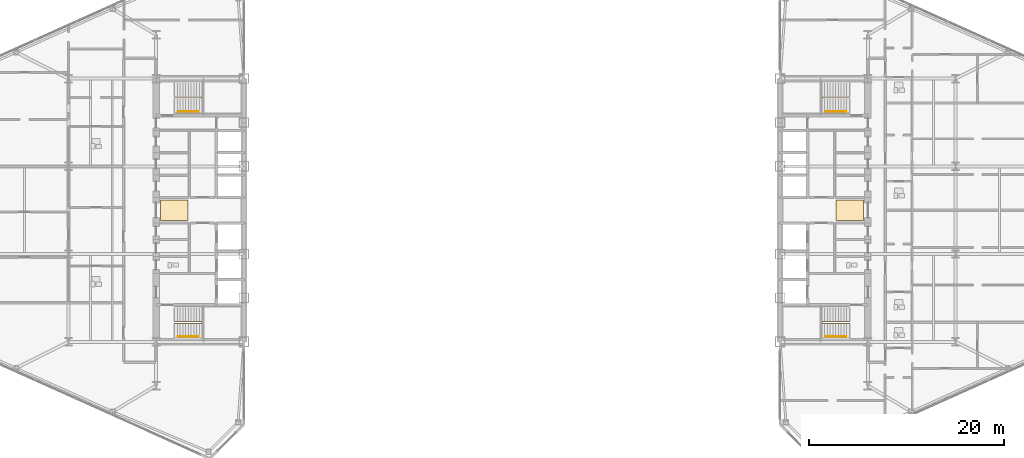
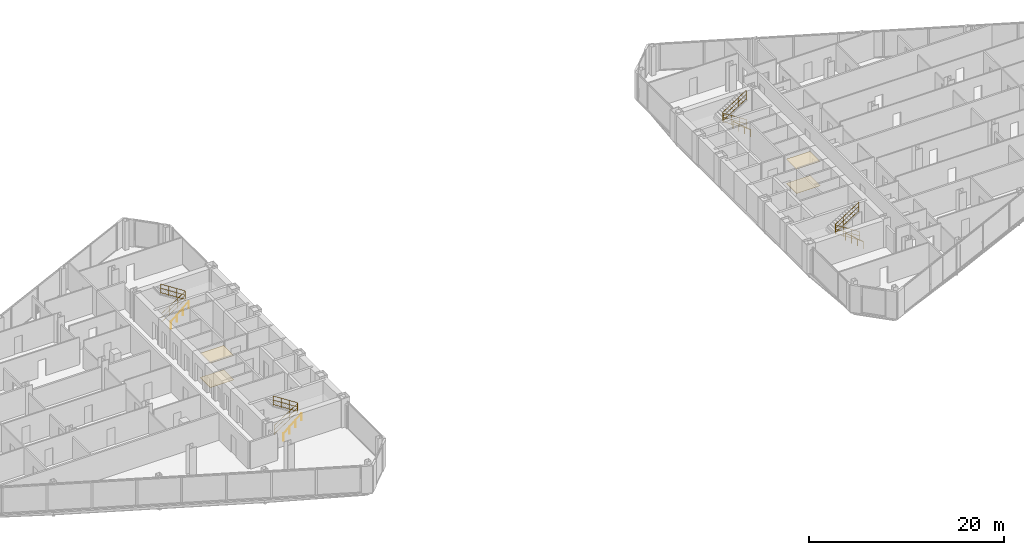
# One storey, part 26 of 27: 8 railings, 4 coverings.
"""IFC4 building model written with IfcOpenShell, lengths in metres."""

from ifc_helpers import new_model, si_unit, direction, frame, origin, origin_2d, place, context, subcontext, project, spatial, polyline, circle, outline, extrude, material, layer, layer_set, type_object, element, save


model = new_model("IFC4")

# Units and contexts
model_context = context("Model", 3, precision=1e-05, world=origin(), true_north=direction((0.0, 1.0)))
body_context = subcontext(model_context, "Body", "Model", "MODEL_VIEW")
ifc_project = project(units=[si_unit("LENGTHUNIT", "METRE"), si_unit("AREAUNIT", "SQUARE_METRE"), si_unit("VOLUMEUNIT", "CUBIC_METRE"), si_unit("PLANEANGLEUNIT", "RADIAN"), si_unit("MASSUNIT", "GRAM", prefix="KILO")], contexts=[model_context])

# Site, building, storey
site_placement = place(None, origin())
site = spatial("IfcSite", under=ifc_project, at=site_placement, CompositionType="ELEMENT")
building_placement = place(site_placement, origin())
building = spatial("IfcBuilding", under=site, at=building_placement, Name="Seokmaru Belvedere", CompositionType="ELEMENT")
storey_placement = place(building_placement, frame((0.0, 0.0, 80.10009765625)))
storey = spatial("IfcBuildingStorey", under=building, at=storey_placement, Name="L21", CompositionType="ELEMENT", Elevation=80.10009765625)

# Coverings
ifc_material_1 = material(Name="Engineered White Oak Timber", Category="wood")
ifc_layer_1 = layer(ifc_material_1, 0.02197265625)
ifc_layer_set_1 = layer_set([ifc_layer_1], Name="Engineered White Oak Timber")
covering_type_1 = type_object("IfcCoveringType", Name="Engineered Oak Residence Floor Finish 22", PredefinedType="FLOORING", material=ifc_layer_set_1)
covering_1_placement = place(storey_placement, origin())
element("IfcCovering", 1, at=covering_1_placement, inside=storey, type_object=covering_type_1, Name="L21 W Foyer Floor Finish", PredefinedType="FLOORING", context=body_context, shape_type="SweptSolid", body=[
    extrude(outline(polyline([(-36.050048828125, -1.050048828125), (-33.25, -1.050048828125), (-33.25, 1.050048828125), (-36.050048828125, 1.050048828125), (-36.050048828125, -1.050048828125)])), origin(), (0.0, 0.0, 1.0), 0.02197265625),
])
covering_2_placement = place(storey_placement, origin())
element("IfcCovering", 2, at=covering_2_placement, inside=storey, type_object=covering_type_1, Name="L21 E Foyer Floor Finish", PredefinedType="FLOORING", context=body_context, shape_type="SweptSolid", body=[
    extrude(outline(polyline([(33.25, -1.050048828125), (36.050048828125, -1.050048828125), (36.050048828125, 1.050048828125), (33.25, 1.050048828125), (33.25, -1.050048828125)])), origin(), (0.0, 0.0, 1.0), 0.02197265625),
])
ifc_material_2 = material(Name="Fire-Rated Gypsum Shaftwall")
ifc_layer_2 = layer(ifc_material_2, 0.02490234375)
ifc_layer_set_2 = layer_set([ifc_layer_2], Name="Fire-Rated Gypsum Shaftwall")
covering_type_2 = type_object("IfcCoveringType", Name="Perforated Acoustic Gypsum Suspended Ceiling 25", PredefinedType="CEILING", material=ifc_layer_set_2)
covering_3_placement = place(storey_placement, frame((0.0, 0.0, 3.02978515625)))
element("IfcCovering", 3, at=covering_3_placement, inside=storey, type_object=covering_type_2, Name="L21 W Lift Foyer Acoustic Ceiling", PredefinedType="CEILING", context=body_context, shape_type="SweptSolid", body=[
    extrude(outline(polyline([(-36.050048828125, -1.050048828125), (-33.25, -1.050048828125), (-33.25, 1.050048828125), (-36.050048828125, 1.050048828125), (-36.050048828125, -1.050048828125)])), origin(), (0.0, 0.0, 1.0), 0.025146484375),
])
covering_4_placement = place(storey_placement, frame((0.0, 0.0, 3.02978515625)))
element("IfcCovering", 4, at=covering_4_placement, inside=storey, type_object=covering_type_2, Name="L21 E Lift Foyer Acoustic Ceiling", PredefinedType="CEILING", context=body_context, shape_type="SweptSolid", body=[
    extrude(outline(polyline([(33.25, -1.050048828125), (36.050048828125, -1.050048828125), (36.050048828125, 1.050048828125), (33.25, 1.050048828125), (33.25, -1.050048828125)])), origin(), (0.0, 0.0, 1.0), 0.025146484375),
])

# Railings
ifc_material_3 = material(Name="Stainless Steel 316", Category="steel")
railing_type_1 = type_object("IfcRailingType", Name="Stainless Steel Wall and Flight Handrail 900", PredefinedType="HANDRAIL", material=ifc_material_3)
for number, where, name in (
    (5, (-34.25, -12.949951171875, 0.0), "L21 Stair ST-W1 Wall Handrail"),
    (6, (-34.25, 10.110107421875, 0.0), "L21 Stair ST-W2 Wall Handrail"),
):
    element("IfcRailing", number, at=place(storey_placement, frame(where)), inside=storey, type_object=railing_type_1, Name=name, PredefinedType="HANDRAIL", context=body_context, shape_type="SweptSolid", body=[
        extrude(circle(Radius=0.02392578125, at=origin_2d()), frame((0.0, 0.0, 0.8759765625), z_axis=(0.759306447245, 0.0, 0.650733216588), x_axis=(0.0, 1.0, 0.0)), (0.0, 0.0, 1.0), 2.765869140625),
        extrude(circle(Radius=0.02099609375, at=origin_2d()), origin(), (0.0, 0.0, 1.0), 0.851806640625),
        extrude(circle(Radius=0.02099609375, at=origin_2d()), frame((0.699951171875, 0.0, 0.599853515625)), (0.0, 0.0, 1.0), 0.851806640625),
        extrude(circle(Radius=0.02099609375, at=origin_2d()), frame((1.400146484375, 0.0, 1.199951171875)), (0.0, 0.0, 1.0), 0.851806640625),
        extrude(circle(Radius=0.02099609375, at=origin_2d()), frame((2.10009765625, 0.0, 1.7998046875)), (0.0, 0.0, 1.0), 0.851806640625),
    ])
for number, where, name in (
    (7, (34.25, -12.949951171875, 0.0), "L21 Stair ST-E1 Wall Handrail"),
    (8, (34.25, 10.110107421875, 0.0), "L21 Stair ST-E2 Wall Handrail"),
):
    element("IfcRailing", number, at=place(storey_placement, frame(where)), inside=storey, type_object=railing_type_1, Name=name, PredefinedType="HANDRAIL", context=body_context, shape_type="SweptSolid", body=[
        extrude(circle(Radius=0.02392578125, at=origin_2d()), frame((0.0, 0.0, 0.8759765625), z_axis=(-0.759306447245, 0.0, 0.650733216588), x_axis=(0.0, -1.0, 0.0)), (0.0, 0.0, 1.0), 2.765869140625),
        extrude(circle(Radius=0.02099609375, at=origin_2d()), origin(), (0.0, 0.0, 1.0), 0.851806640625),
        extrude(circle(Radius=0.02099609375, at=origin_2d()), frame((-0.699951171875, 0.0, 0.599853515625)), (0.0, 0.0, 1.0), 0.851806640625),
        extrude(circle(Radius=0.02099609375, at=origin_2d()), frame((-1.400146484375, 0.0, 1.199951171875)), (0.0, 0.0, 1.0), 0.851806640625),
        extrude(circle(Radius=0.02099609375, at=origin_2d()), frame((-2.10009765625, 0.0, 1.7998046875)), (0.0, 0.0, 1.0), 0.851806640625),
    ])
railing_type_2 = type_object("IfcRailingType", Name="Stair Well and Atrium Steel Guardrail 1200", PredefinedType="GUARDRAIL", material=ifc_material_3)
railing_1_placement = place(storey_placement, frame((-34.60009765625, -11.60009765625, 0.0)))
element("IfcRailing", 9, at=railing_1_placement, inside=storey, type_object=railing_type_2, Name="L21 Stair ST-W1 Inner Well Guardrail", PredefinedType="GUARDRAIL", context=body_context, shape_type="SweptSolid", body=[
    extrude(circle(Radius=0.02392578125, at=origin_2d()), frame((0.0, 0.0, 1.17578125), z_axis=(0.841209454229, 0.0, 0.540709398952), x_axis=(0.0, 1.0, 0.0)), (0.0, 0.0, 1.0), 3.32861328125),
    extrude(circle(Radius=0.02392578125, at=origin_2d()), frame((0.0, 0.0, 0.1201171875), z_axis=(0.841209454229, 0.0, 0.540709398952), x_axis=(0.0, 1.0, 0.0)), (0.0, 0.0, 1.0), 3.32861328125),
    extrude(circle(Radius=0.02392578125, at=origin_2d()), frame((0.0, 0.0, 0.659912109375), z_axis=(0.841209454229, 0.0, 0.540709398952), x_axis=(0.0, 1.0, 0.0)), (0.0, 0.0, 1.0), 3.32861328125),
    extrude(circle(Radius=0.02392578125, at=origin_2d()), frame((2.800048828125, 0.0, 2.9755859375), z_axis=(0.0, 1.0, 0.0), x_axis=(-1.0, 0.0, 0.0)), (0.0, 0.0, 1.0), 0.14013671875),
    extrude(circle(Radius=0.02392578125, at=origin_2d()), frame((2.800048828125, 0.0, 1.919921875), z_axis=(0.0, 1.0, 0.0), x_axis=(-1.0, 0.0, 0.0)), (0.0, 0.0, 1.0), 0.14013671875),
    extrude(circle(Radius=0.02392578125, at=origin_2d()), frame((2.800048828125, 0.0, 2.459716796875), z_axis=(0.0, 1.0, 0.0), x_axis=(-1.0, 0.0, 0.0)), (0.0, 0.0, 1.0), 0.14013671875),
    extrude(circle(Radius=0.02392578125, at=origin_2d()), frame((2.800048828125, 0.14013671875, 2.9755859375), z_axis=(-0.841176092368, 0.0, 0.540761298198), x_axis=(0.0, -1.0, 0.0)), (0.0, 0.0, 1.0), 3.32861328125),
    extrude(circle(Radius=0.02392578125, at=origin_2d()), frame((2.800048828125, 0.14013671875, 1.919921875), z_axis=(-0.841176092368, 0.0, 0.540761298198), x_axis=(0.0, -1.0, 0.0)), (0.0, 0.0, 1.0), 3.32861328125),
    extrude(circle(Radius=0.02392578125, at=origin_2d()), frame((2.800048828125, 0.14013671875, 2.459716796875), z_axis=(-0.841176092368, 0.0, 0.540761298198), x_axis=(0.0, -1.0, 0.0)), (0.0, 0.0, 1.0), 3.32861328125),
    extrude(circle(Radius=0.02099609375, at=origin_2d()), origin(), (0.0, 0.0, 1.0), 1.15185546875),
    extrude(circle(Radius=0.02099609375, at=origin_2d()), frame((0.933349609375, 0.0, 0.599853515625)), (0.0, 0.0, 1.0), 1.15185546875),
    extrude(circle(Radius=0.02099609375, at=origin_2d()), frame((1.86669921875, 0.0, 1.199951171875)), (0.0, 0.0, 1.0), 1.15185546875),
    extrude(circle(Radius=0.02099609375, at=origin_2d()), frame((2.800048828125, 0.0, 1.7998046875)), (0.0, 0.0, 1.0), 1.15185546875),
    extrude(circle(Radius=0.02099609375, at=origin_2d()), frame((2.800048828125, 0.14013671875, 1.7998046875)), (0.0, 0.0, 1.0), 1.15185546875),
    extrude(circle(Radius=0.02099609375, at=origin_2d()), frame((1.86669921875, 0.14013671875, 2.39990234375)), (0.0, 0.0, 1.0), 1.15185546875),
    extrude(circle(Radius=0.02099609375, at=origin_2d()), frame((0.933349609375, 0.14013671875, 2.999755859375)), (0.0, 0.0, 1.0), 1.15185546875),
    extrude(circle(Radius=0.02099609375, at=origin_2d()), frame((0.0, 0.14013671875, 3.599853515625)), (0.0, 0.0, 1.0), 1.15185546875),
])
railing_2_placement = place(storey_placement, frame((-34.60009765625, 11.4599609375, 0.0)))
element("IfcRailing", 10, at=railing_2_placement, inside=storey, type_object=railing_type_2, Name="L21 Stair ST-W2 Inner Well Guardrail", PredefinedType="GUARDRAIL", context=body_context, shape_type="SweptSolid", body=[
    extrude(circle(Radius=0.02392578125, at=origin_2d()), frame((0.0, 0.0, 1.17578125), z_axis=(0.841209454229, 0.0, 0.540709398952), x_axis=(0.0, 1.0, 0.0)), (0.0, 0.0, 1.0), 3.32861328125),
    extrude(circle(Radius=0.02392578125, at=origin_2d()), frame((0.0, 0.0, 0.1201171875), z_axis=(0.841209454229, 0.0, 0.540709398952), x_axis=(0.0, 1.0, 0.0)), (0.0, 0.0, 1.0), 3.32861328125),
    extrude(circle(Radius=0.02392578125, at=origin_2d()), frame((0.0, 0.0, 0.659912109375), z_axis=(0.841209454229, 0.0, 0.540709398952), x_axis=(0.0, 1.0, 0.0)), (0.0, 0.0, 1.0), 3.32861328125),
    extrude(circle(Radius=0.02392578125, at=origin_2d()), frame((2.800048828125, 0.0, 2.9755859375), z_axis=(0.0, 1.0, 0.0), x_axis=(-1.0, 0.0, 0.0)), (0.0, 0.0, 1.0), 0.14013671875),
    extrude(circle(Radius=0.02392578125, at=origin_2d()), frame((2.800048828125, 0.0, 1.919921875), z_axis=(0.0, 1.0, 0.0), x_axis=(-1.0, 0.0, 0.0)), (0.0, 0.0, 1.0), 0.14013671875),
    extrude(circle(Radius=0.02392578125, at=origin_2d()), frame((2.800048828125, 0.0, 2.459716796875), z_axis=(0.0, 1.0, 0.0), x_axis=(-1.0, 0.0, 0.0)), (0.0, 0.0, 1.0), 0.14013671875),
    extrude(circle(Radius=0.02392578125, at=origin_2d()), frame((2.800048828125, 0.14013671875, 2.9755859375), z_axis=(-0.841176092368, 0.0, 0.540761298198), x_axis=(0.0, -1.0, 0.0)), (0.0, 0.0, 1.0), 3.32861328125),
    extrude(circle(Radius=0.02392578125, at=origin_2d()), frame((2.800048828125, 0.14013671875, 1.919921875), z_axis=(-0.841176092368, 0.0, 0.540761298198), x_axis=(0.0, -1.0, 0.0)), (0.0, 0.0, 1.0), 3.32861328125),
    extrude(circle(Radius=0.02392578125, at=origin_2d()), frame((2.800048828125, 0.14013671875, 2.459716796875), z_axis=(-0.841176092368, 0.0, 0.540761298198), x_axis=(0.0, -1.0, 0.0)), (0.0, 0.0, 1.0), 3.32861328125),
    extrude(circle(Radius=0.02099609375, at=origin_2d()), origin(), (0.0, 0.0, 1.0), 1.15185546875),
    extrude(circle(Radius=0.02099609375, at=origin_2d()), frame((0.933349609375, 0.0, 0.599853515625)), (0.0, 0.0, 1.0), 1.15185546875),
    extrude(circle(Radius=0.02099609375, at=origin_2d()), frame((1.86669921875, 0.0, 1.199951171875)), (0.0, 0.0, 1.0), 1.15185546875),
    extrude(circle(Radius=0.02099609375, at=origin_2d()), frame((2.800048828125, 0.0, 1.7998046875)), (0.0, 0.0, 1.0), 1.15185546875),
    extrude(circle(Radius=0.02099609375, at=origin_2d()), frame((2.800048828125, 0.14013671875, 1.7998046875)), (0.0, 0.0, 1.0), 1.15185546875),
    extrude(circle(Radius=0.02099609375, at=origin_2d()), frame((1.86669921875, 0.14013671875, 2.39990234375)), (0.0, 0.0, 1.0), 1.15185546875),
    extrude(circle(Radius=0.02099609375, at=origin_2d()), frame((0.933349609375, 0.14013671875, 2.999755859375)), (0.0, 0.0, 1.0), 1.15185546875),
    extrude(circle(Radius=0.02099609375, at=origin_2d()), frame((0.0, 0.14013671875, 3.599853515625)), (0.0, 0.0, 1.0), 1.15185546875),
])
railing_3_placement = place(storey_placement, frame((34.60009765625, -11.60009765625, 0.0)))
element("IfcRailing", 11, at=railing_3_placement, inside=storey, type_object=railing_type_2, Name="L21 Stair ST-E1 Inner Well Guardrail", PredefinedType="GUARDRAIL", context=body_context, shape_type="SweptSolid", body=[
    extrude(circle(Radius=0.02392578125, at=origin_2d()), frame((0.0, 0.0, 1.17578125), z_axis=(-0.841209454229, 0.0, 0.540709398952), x_axis=(0.0, -1.0, 0.0)), (0.0, 0.0, 1.0), 3.32861328125),
    extrude(circle(Radius=0.02392578125, at=origin_2d()), frame((0.0, 0.0, 0.1201171875), z_axis=(-0.841209454229, 0.0, 0.540709398952), x_axis=(0.0, -1.0, 0.0)), (0.0, 0.0, 1.0), 3.32861328125),
    extrude(circle(Radius=0.02392578125, at=origin_2d()), frame((0.0, 0.0, 0.659912109375), z_axis=(-0.841209454229, 0.0, 0.540709398952), x_axis=(0.0, -1.0, 0.0)), (0.0, 0.0, 1.0), 3.32861328125),
    extrude(circle(Radius=0.02392578125, at=origin_2d()), frame((-2.800048828125, 0.0, 2.9755859375), z_axis=(0.0, 1.0, 0.0), x_axis=(-1.0, 0.0, 0.0)), (0.0, 0.0, 1.0), 0.14013671875),
    extrude(circle(Radius=0.02392578125, at=origin_2d()), frame((-2.800048828125, 0.0, 1.919921875), z_axis=(0.0, 1.0, 0.0), x_axis=(-1.0, 0.0, 0.0)), (0.0, 0.0, 1.0), 0.14013671875),
    extrude(circle(Radius=0.02392578125, at=origin_2d()), frame((-2.800048828125, 0.0, 2.459716796875), z_axis=(0.0, 1.0, 0.0), x_axis=(-1.0, 0.0, 0.0)), (0.0, 0.0, 1.0), 0.14013671875),
    extrude(circle(Radius=0.02392578125, at=origin_2d()), frame((-2.800048828125, 0.14013671875, 2.9755859375), z_axis=(0.841176092368, 0.0, 0.540761298198), x_axis=(0.0, 1.0, 0.0)), (0.0, 0.0, 1.0), 3.32861328125),
    extrude(circle(Radius=0.02392578125, at=origin_2d()), frame((-2.800048828125, 0.14013671875, 1.919921875), z_axis=(0.841176092368, 0.0, 0.540761298198), x_axis=(0.0, 1.0, 0.0)), (0.0, 0.0, 1.0), 3.32861328125),
    extrude(circle(Radius=0.02392578125, at=origin_2d()), frame((-2.800048828125, 0.14013671875, 2.459716796875), z_axis=(0.841176092368, 0.0, 0.540761298198), x_axis=(0.0, 1.0, 0.0)), (0.0, 0.0, 1.0), 3.32861328125),
    extrude(circle(Radius=0.02099609375, at=origin_2d()), origin(), (0.0, 0.0, 1.0), 1.15185546875),
    extrude(circle(Radius=0.02099609375, at=origin_2d()), frame((-0.933349609375, 0.0, 0.599853515625)), (0.0, 0.0, 1.0), 1.15185546875),
    extrude(circle(Radius=0.02099609375, at=origin_2d()), frame((-1.86669921875, 0.0, 1.199951171875)), (0.0, 0.0, 1.0), 1.15185546875),
    extrude(circle(Radius=0.02099609375, at=origin_2d()), frame((-2.800048828125, 0.0, 1.7998046875)), (0.0, 0.0, 1.0), 1.15185546875),
    extrude(circle(Radius=0.02099609375, at=origin_2d()), frame((-2.800048828125, 0.14013671875, 1.7998046875)), (0.0, 0.0, 1.0), 1.15185546875),
    extrude(circle(Radius=0.02099609375, at=origin_2d()), frame((-1.86669921875, 0.14013671875, 2.39990234375)), (0.0, 0.0, 1.0), 1.15185546875),
    extrude(circle(Radius=0.02099609375, at=origin_2d()), frame((-0.933349609375, 0.14013671875, 2.999755859375)), (0.0, 0.0, 1.0), 1.15185546875),
    extrude(circle(Radius=0.02099609375, at=origin_2d()), frame((0.0, 0.14013671875, 3.599853515625)), (0.0, 0.0, 1.0), 1.15185546875),
])
railing_4_placement = place(storey_placement, frame((34.60009765625, 11.4599609375, 0.0)))
element("IfcRailing", 12, at=railing_4_placement, inside=storey, type_object=railing_type_2, Name="L21 Stair ST-E2 Inner Well Guardrail", PredefinedType="GUARDRAIL", context=body_context, shape_type="SweptSolid", body=[
    extrude(circle(Radius=0.02392578125, at=origin_2d()), frame((0.0, 0.0, 1.17578125), z_axis=(-0.841209454229, 0.0, 0.540709398952), x_axis=(0.0, -1.0, 0.0)), (0.0, 0.0, 1.0), 3.32861328125),
    extrude(circle(Radius=0.02392578125, at=origin_2d()), frame((0.0, 0.0, 0.1201171875), z_axis=(-0.841209454229, 0.0, 0.540709398952), x_axis=(0.0, -1.0, 0.0)), (0.0, 0.0, 1.0), 3.32861328125),
    extrude(circle(Radius=0.02392578125, at=origin_2d()), frame((0.0, 0.0, 0.659912109375), z_axis=(-0.841209454229, 0.0, 0.540709398952), x_axis=(0.0, -1.0, 0.0)), (0.0, 0.0, 1.0), 3.32861328125),
    extrude(circle(Radius=0.02392578125, at=origin_2d()), frame((-2.800048828125, 0.0, 2.9755859375), z_axis=(0.0, 1.0, 0.0), x_axis=(-1.0, 0.0, 0.0)), (0.0, 0.0, 1.0), 0.14013671875),
    extrude(circle(Radius=0.02392578125, at=origin_2d()), frame((-2.800048828125, 0.0, 1.919921875), z_axis=(0.0, 1.0, 0.0), x_axis=(-1.0, 0.0, 0.0)), (0.0, 0.0, 1.0), 0.14013671875),
    extrude(circle(Radius=0.02392578125, at=origin_2d()), frame((-2.800048828125, 0.0, 2.459716796875), z_axis=(0.0, 1.0, 0.0), x_axis=(-1.0, 0.0, 0.0)), (0.0, 0.0, 1.0), 0.14013671875),
    extrude(circle(Radius=0.02392578125, at=origin_2d()), frame((-2.800048828125, 0.14013671875, 2.9755859375), z_axis=(0.841176092368, 0.0, 0.540761298198), x_axis=(0.0, 1.0, 0.0)), (0.0, 0.0, 1.0), 3.32861328125),
    extrude(circle(Radius=0.02392578125, at=origin_2d()), frame((-2.800048828125, 0.14013671875, 1.919921875), z_axis=(0.841176092368, 0.0, 0.540761298198), x_axis=(0.0, 1.0, 0.0)), (0.0, 0.0, 1.0), 3.32861328125),
    extrude(circle(Radius=0.02392578125, at=origin_2d()), frame((-2.800048828125, 0.14013671875, 2.459716796875), z_axis=(0.841176092368, 0.0, 0.540761298198), x_axis=(0.0, 1.0, 0.0)), (0.0, 0.0, 1.0), 3.32861328125),
    extrude(circle(Radius=0.02099609375, at=origin_2d()), origin(), (0.0, 0.0, 1.0), 1.15185546875),
    extrude(circle(Radius=0.02099609375, at=origin_2d()), frame((-0.933349609375, 0.0, 0.599853515625)), (0.0, 0.0, 1.0), 1.15185546875),
    extrude(circle(Radius=0.02099609375, at=origin_2d()), frame((-1.86669921875, 0.0, 1.199951171875)), (0.0, 0.0, 1.0), 1.15185546875),
    extrude(circle(Radius=0.02099609375, at=origin_2d()), frame((-2.800048828125, 0.0, 1.7998046875)), (0.0, 0.0, 1.0), 1.15185546875),
    extrude(circle(Radius=0.02099609375, at=origin_2d()), frame((-2.800048828125, 0.14013671875, 1.7998046875)), (0.0, 0.0, 1.0), 1.15185546875),
    extrude(circle(Radius=0.02099609375, at=origin_2d()), frame((-1.86669921875, 0.14013671875, 2.39990234375)), (0.0, 0.0, 1.0), 1.15185546875),
    extrude(circle(Radius=0.02099609375, at=origin_2d()), frame((-0.933349609375, 0.14013671875, 2.999755859375)), (0.0, 0.0, 1.0), 1.15185546875),
    extrude(circle(Radius=0.02099609375, at=origin_2d()), frame((0.0, 0.14013671875, 3.599853515625)), (0.0, 0.0, 1.0), 1.15185546875),
])

save(model, "model.ifc")
